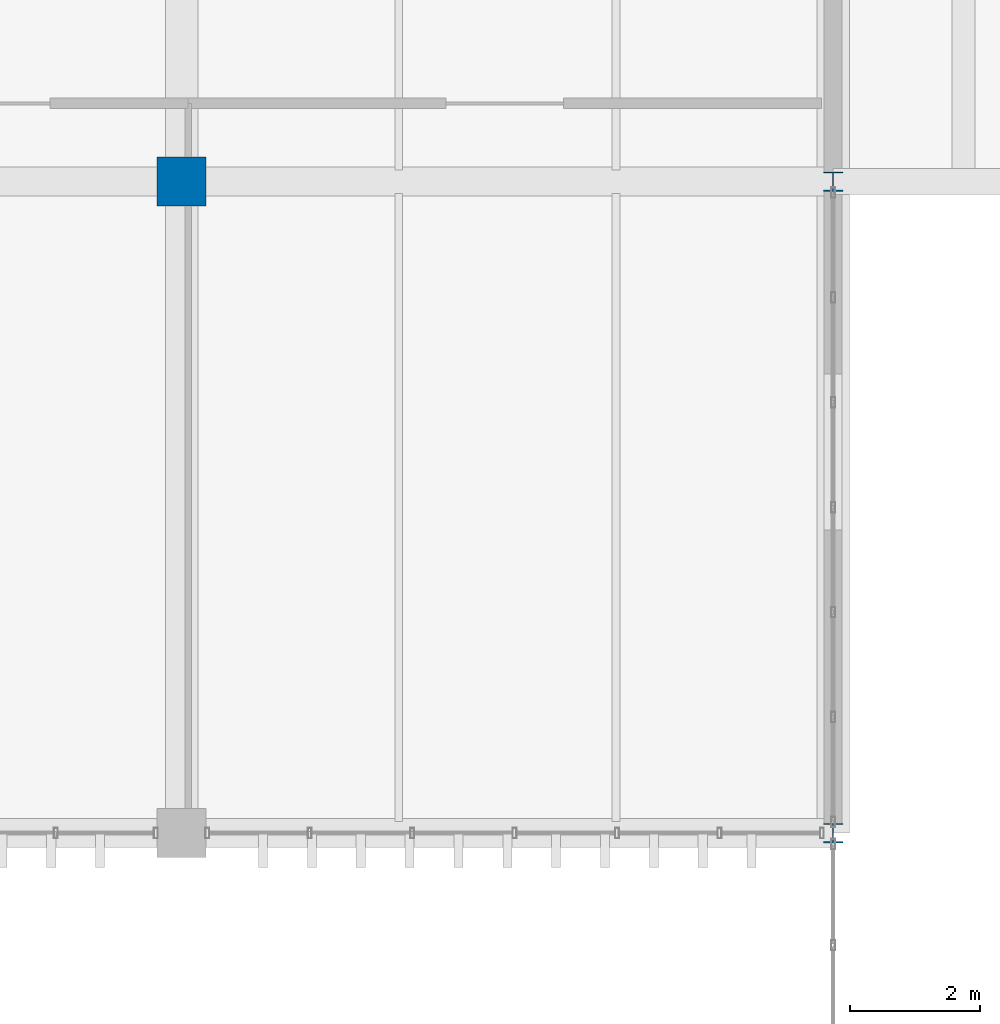
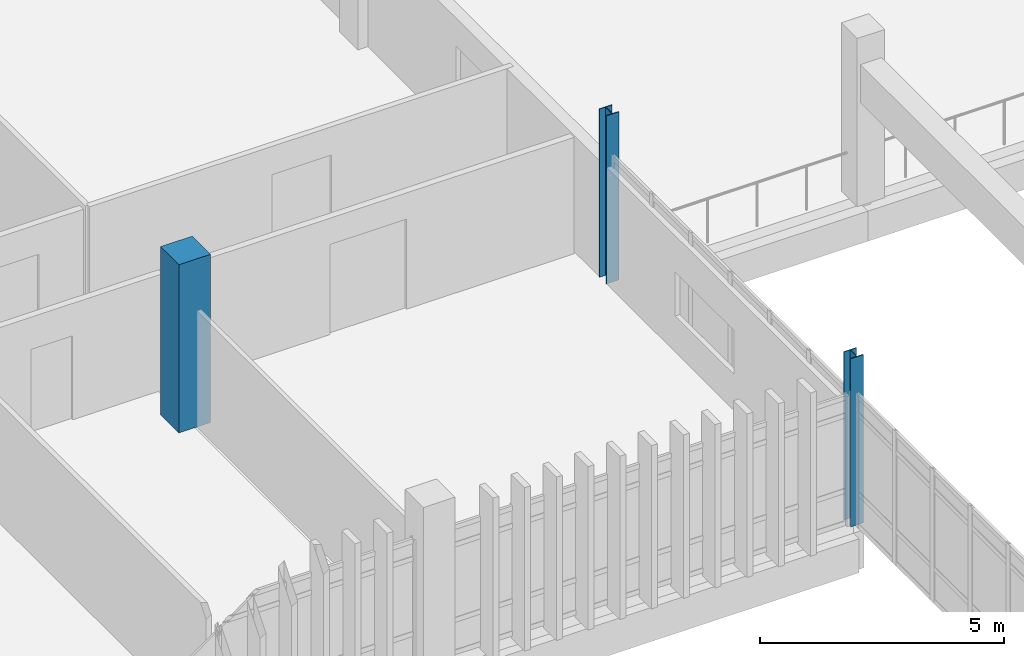
# One storey, part 2 of 111: 3 columns.
"""IFC4 building model written with IfcOpenShell, lengths in metres."""

from ifc_helpers import new_model, si_unit, direction, frame, origin, origin_2d, place, context, subcontext, project, spatial, rectangle, i_section, extrude, material, material_profile, profile_set, type_object, element, save


model = new_model("IFC4")

# Units and contexts
model_context = context("Model", 3, precision=1e-05, world=origin(), true_north=direction((0.0, 1.0)))
body_context = subcontext(model_context, "Body", "Model", "MODEL_VIEW")
ifc_project = project(units=[si_unit("LENGTHUNIT", "METRE"), si_unit("AREAUNIT", "SQUARE_METRE"), si_unit("VOLUMEUNIT", "CUBIC_METRE"), si_unit("PLANEANGLEUNIT", "RADIAN"), si_unit("MASSUNIT", "GRAM", prefix="KILO")], contexts=[model_context])

# Site, building, storey
site_placement = place(None, origin())
site = spatial("IfcSite", under=ifc_project, at=site_placement, CompositionType="ELEMENT")
building_placement = place(site_placement, origin())
building = spatial("IfcBuilding", under=site, at=building_placement, Name="Mersad Railyard Sports Hall", CompositionType="ELEMENT")
storey_placement = place(building_placement, frame((0.0, 0.0, 9.0)))
storey = spatial("IfcBuildingStorey", under=building, at=storey_placement, Name="L02", CompositionType="ELEMENT", Elevation=9.0)

# Columns
ifc_material_1 = material(Name="Concrete C50/60", Category="concrete")
ifc_material_profile_1 = material_profile(ifc_material_1, rectangle(XDim=0.75, YDim=0.75, at=origin_2d()), Name="RC 750x750")
ifc_profile_set_1 = profile_set([ifc_material_profile_1], Name="Concrete C50/60")
column_type_1 = type_object("IfcColumnType", Name="STR-COL-C03", PredefinedType="COLUMN", material=ifc_profile_set_1)
column_placement = place(storey_placement, frame((121.0, 95.0, 0.0), z_axis=(0.0, 0.0, 1.0), x_axis=(1.0, 0.0, 0.0)))
element("IfcColumn", 1, at=column_placement, inside=storey, type_object=column_type_1, Name="Column C03 L02 (121.0,95.0)", PredefinedType="COLUMN", context=body_context, shape_type="SweptSolid", body=[
    extrude(rectangle(XDim=0.75, YDim=0.75, at=origin_2d()), origin(), (0.0, 0.0, 1.0), 4.199951171875),
])
ifc_material_2 = material(Name="Steel S355", Category="steel")
ifc_material_profile_2 = material_profile(ifc_material_2, i_section(OverallWidth=0.300048828125, OverallDepth=0.300048828125, WebThickness=0.010986328125, FlangeThickness=0.01904296875, at=origin_2d()), Name="HEB 300")
ifc_profile_set_2 = profile_set([ifc_material_profile_2], Name="Steel S355")
column_type_2 = type_object("IfcColumnType", Name="STR-COL-C10", PredefinedType="COLUMN", material=ifc_profile_set_2)
for number, where, z_axis, x_axis, name in (
    (2, (131.0, 85.0, 0.0), (0.0, 0.0, 1.0), (1.0, 0.0, 0.0), "Column C10 L02 (131.0,85.0)"),
    (3, (131.0, 95.0, 0.0), (0.0, 0.0, 1.0), (1.0, 0.0, 0.0), "Column C10 L02 (131.0,95.0)"),
):
    element("IfcColumn", number, at=place(storey_placement, frame(where, z_axis=z_axis, x_axis=x_axis)), inside=storey, type_object=column_type_2, Name=name, PredefinedType="COLUMN", context=body_context, shape_type="SweptSolid", body=[
        extrude(i_section(OverallWidth=0.300048828125, OverallDepth=0.300048828125, WebThickness=0.010986328125, FlangeThickness=0.01904296875, at=origin_2d()), origin(), (0.0, 0.0, 1.0), 4.199951171875),
    ])

save(model, "model.ifc")
